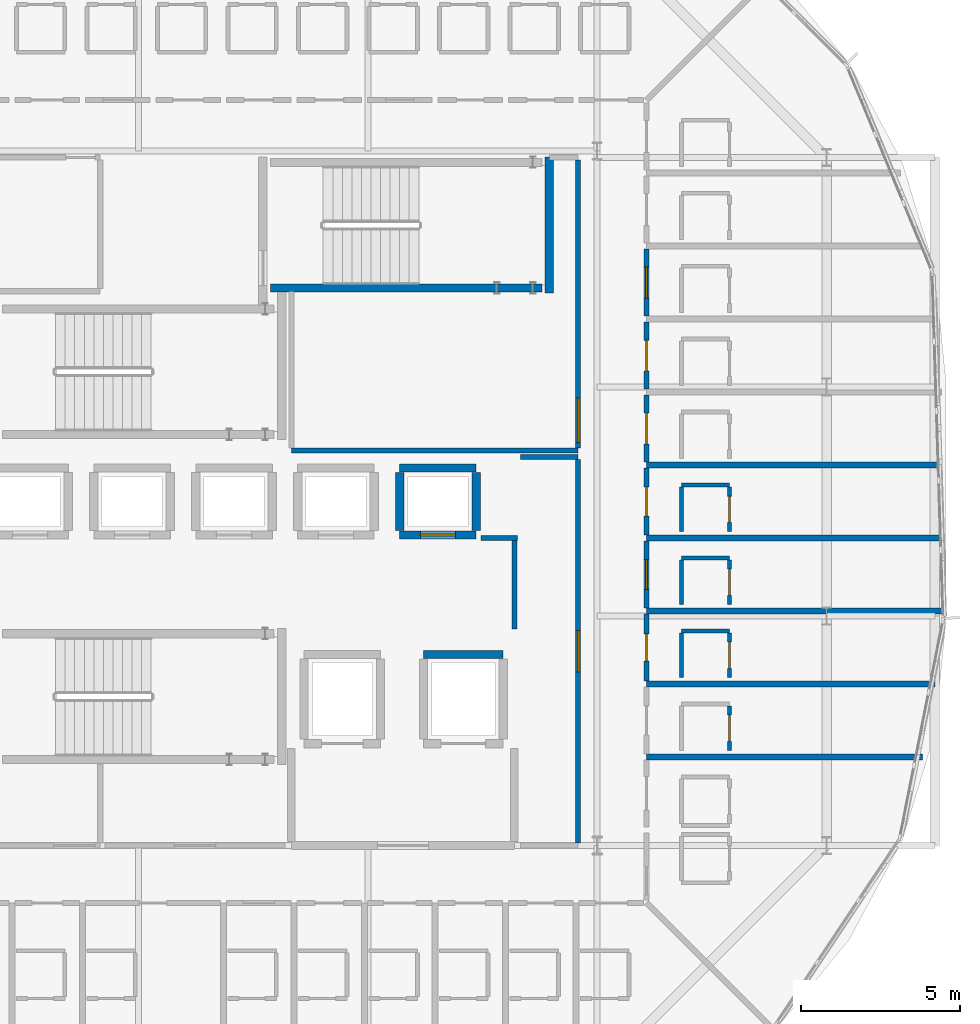
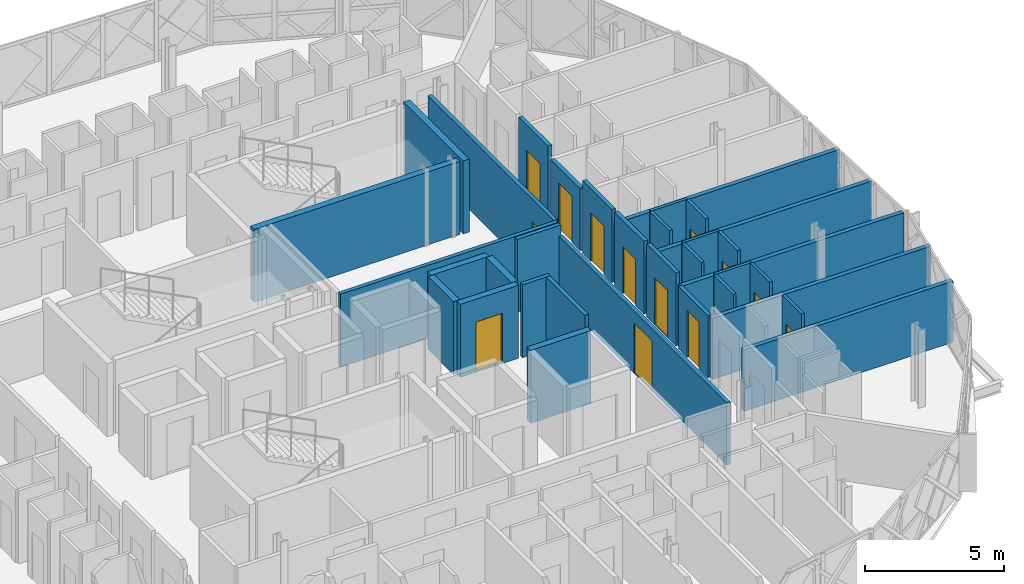
# One storey, part 42 of 50: 34 walls, 13 doors, 13 openings.
"""IFC4 building model written with IfcOpenShell, lengths in metres."""

from ifc_helpers import new_model, si_unit, direction, frame, frame_2d, origin, place, context, subcontext, project, spatial, rectangle, extrude, material, layer, layer_set, type_object, element, fill, save


model = new_model("IFC4")

# Units and contexts
model_context = context("Model", 3, precision=1e-05, world=origin(), true_north=direction((0.0, 1.0)))
body_context = subcontext(model_context, "Body", "Model", "MODEL_VIEW")
ifc_project = project(units=[si_unit("LENGTHUNIT", "METRE"), si_unit("AREAUNIT", "SQUARE_METRE"), si_unit("VOLUMEUNIT", "CUBIC_METRE"), si_unit("PLANEANGLEUNIT", "RADIAN"), si_unit("MASSUNIT", "GRAM", prefix="KILO")], contexts=[model_context])

# Site, building, storey
site_placement = place(None, origin())
site = spatial("IfcSite", under=ifc_project, at=site_placement, CompositionType="ELEMENT")
building_placement = place(site_placement, origin())
building = spatial("IfcBuilding", under=site, at=building_placement, Name="Zevrakil Square Congress Hotel", CompositionType="ELEMENT")
storey_placement = place(building_placement, frame((0.0, 0.0, 21.5)))
storey = spatial("IfcBuildingStorey", under=building, at=storey_placement, Name="L06", CompositionType="ELEMENT", Elevation=21.5)

# Wall
ifc_material_1 = material(Name="Gypsum Acoustic Stud Partition")
ifc_layer_1 = layer(ifc_material_1, 0.159912109375)
ifc_layer_set_1 = layer_set([ifc_layer_1], Name="Gypsum Acoustic Stud Partition")
wall_type_1 = type_object("IfcWallType", Name="WAL-CORR-160", PredefinedType="PARTITIONING", material=ifc_layer_set_1)
wall_1_placement = place(storey_placement, frame((146.39990234375, 29.199951171875, 0.0), z_axis=(0.0, 0.0, 1.0), x_axis=(1.0, 0.0, 0.0)))
element("IfcWall", 1, at=wall_1_placement, inside=storey, type_object=wall_type_1, Name="L06 interior partition PW-L06-0699", PredefinedType="PARTITIONING", context=body_context, shape_type="SweptSolid", body=[
    extrude(rectangle(XDim=9.0, YDim=0.159912109375, at=frame_2d((4.5, 0.0))), origin(), (0.0, 0.0, 1.0), 3.195068359375),
])

# Wall, opening, door
wall_2_placement = place(storey_placement, frame((155.39990234375, 29.284912109375, 0.0), z_axis=(0.0, 0.0, 1.0), x_axis=(0.0, 1.0, 0.0)))
wall_2 = element("IfcWall", 2, at=wall_2_placement, inside=storey, type_object=wall_type_1, Name="L06 interior partition PW-L06-0702", PredefinedType="PARTITIONING", context=body_context, shape_type="SweptSolid", body=[
    extrude(rectangle(XDim=9.030029296875, YDim=0.159912109375, at=frame_2d((4.51513671875, 0.0))), origin(), (0.0, 0.0, 1.0), 3.195068359375),
])
opening_1_placement = place(wall_2_placement, frame((0.159912109375, 0.0, 0.0)))
opening_1 = element("IfcOpeningElement", 3, at=opening_1_placement, cuts=wall_2, Name="Opening ID-09", PredefinedType="OPENING", context=body_context, shape_type="SweptSolid", body=[
    extrude(rectangle(XDim=1.39990234375, YDim=2.199951171875, at=frame_2d((0.699951171875, 1.10009765625))), frame((0.0, 0.08984375, 0.0), z_axis=(0.0, -1.0, 0.0), x_axis=(1.0, 0.0, 0.0)), (0.0, 0.0, 1.0), 0.179931640625),
])
ifc_material_2 = material(Name="Steel S355 Louvred Plant Fire Door", Category="steel")
door_type_1 = type_object("IfcDoorType", Name="DOR-PLANT-140", OperationType="NOTDEFINED", PredefinedType="DOOR", material=ifc_material_2)
door_1_placement = place(opening_1_placement, origin())
door_1 = element("IfcDoor", 4, at=door_1_placement, inside=storey, type_object=door_type_1, Name="L06 interior door 278", OperationType="SINGLE_SWING_RIGHT", OverallHeight=2.199951171875, OverallWidth=1.39990234375, PredefinedType="DOOR", context=body_context, shape_type="SweptSolid", body=[
    extrude(rectangle(XDim=1.39990234375, YDim=2.199951171875, at=frame_2d((0.699951171875, 1.10009765625))), frame((0.0, 0.02490234375, 0.0), z_axis=(0.0, -1.0, 0.0), x_axis=(1.0, 0.0, 0.0)), (0.0, 0.0, 1.0), 0.050048828125),
])
fill(opening_1, door_1)

# Wall
wall_3_placement = place(storey_placement, frame((153.60009765625, 29.0, 0.0), z_axis=(0.0, 0.0, 1.0), x_axis=(1.0, 0.0, 0.0)))
element("IfcWall", 5, at=wall_3_placement, inside=storey, type_object=wall_type_1, Name="L06 interior partition PW-L06-0704", PredefinedType="PARTITIONING", context=body_context, shape_type="SweptSolid", body=[
    extrude(rectangle(XDim=1.7998046875, YDim=0.159912109375, at=frame_2d((0.89990234375, 0.0))), origin(), (0.0, 0.0, 1.0), 3.195068359375),
])

# Wall, opening, door
wall_4_placement = place(storey_placement, frame((155.39990234375, 16.885009765625, 0.0), z_axis=(0.0, 0.0, 1.0), x_axis=(0.0, 1.0, 0.0)))
wall_4 = element("IfcWall", 6, at=wall_4_placement, inside=storey, type_object=wall_type_1, Name="L06 interior partition PW-L06-0705", PredefinedType="PARTITIONING", context=body_context, shape_type="SweptSolid", body=[
    extrude(rectangle(XDim=12.030029296875, YDim=0.159912109375, at=frame_2d((6.01513671875, 0.0))), origin(), (0.0, 0.0, 1.0), 2.72998046875),
])
opening_2_placement = place(wall_4_placement, frame((5.364990234375, 0.0, 0.0)))
opening_2 = element("IfcOpeningElement", 7, at=opening_2_placement, cuts=wall_4, Name="Opening ID-08", PredefinedType="OPENING", context=body_context, shape_type="SweptSolid", body=[
    extrude(rectangle(XDim=1.300048828125, YDim=2.199951171875, at=frame_2d((0.64990234375, 1.10009765625))), frame((0.0, 0.08984375, 0.0), z_axis=(0.0, -1.0, 0.0), x_axis=(1.0, 0.0, 0.0)), (0.0, 0.0, 1.0), 0.179931640625),
])
ifc_material_3 = material(Name="Service Corridor Leaf-and-Half Door")
door_type_2 = type_object("IfcDoorType", Name="DOR-BOH-130", OperationType="NOTDEFINED", PredefinedType="DOOR", material=ifc_material_3)
door_2_placement = place(opening_2_placement, origin())
door_2 = element("IfcDoor", 8, at=door_2_placement, inside=storey, type_object=door_type_2, Name="L06 interior door 279", OperationType="SINGLE_SWING_LEFT", OverallHeight=2.199951171875, OverallWidth=1.300048828125, PredefinedType="DOOR", context=body_context, shape_type="SweptSolid", body=[
    extrude(rectangle(XDim=1.300048828125, YDim=2.199951171875, at=frame_2d((0.64990234375, 1.10009765625))), frame((0.0, 0.02490234375, 0.0), z_axis=(0.0, -1.0, 0.0), x_axis=(1.0, 0.0, 0.0)), (0.0, 0.0, 1.0), 0.050048828125),
])
fill(opening_2, door_2)

# Walls
wall_5_placement = place(storey_placement, frame((152.35009765625, 26.449951171875, 0.0), z_axis=(0.0, 0.0, 1.0), x_axis=(1.0, 0.0, 0.0)))
element("IfcWall", 9, at=wall_5_placement, inside=storey, type_object=wall_type_1, Name="L06 interior partition PW-L06-0706", PredefinedType="PARTITIONING", context=body_context, shape_type="SweptSolid", body=[
    extrude(rectangle(XDim=1.14990234375, YDim=0.159912109375, at=frame_2d((0.574951171875, 0.0))), origin(), (0.0, 0.0, 1.0), 3.195068359375),
])
wall_6_placement = place(storey_placement, frame((153.39990234375, 23.60009765625, 0.0), z_axis=(0.0, 0.0, 1.0), x_axis=(0.0, 1.0, 0.0)))
element("IfcWall", 10, at=wall_6_placement, inside=storey, type_object=wall_type_1, Name="L06 interior partition PW-L06-0707", PredefinedType="PARTITIONING", context=body_context, shape_type="SweptSolid", body=[
    extrude(rectangle(XDim=2.7998046875, YDim=0.159912109375, at=frame_2d((1.39990234375, 0.0))), origin(), (0.0, 0.0, 1.0), 3.195068359375),
])

# Wall, opening, door
wall_7_placement = place(storey_placement, frame((157.550048828125, 21.9677734375, 0.0), z_axis=(0.0, 0.0, 1.0), x_axis=(0.0, 1.0, 0.0)))
wall_7 = element("IfcWall", 11, at=wall_7_placement, inside=storey, type_object=wall_type_1, Name="L06 interior partition PW-L06-0777", PredefinedType="PARTITIONING", context=body_context, shape_type="SweptSolid", body=[
    extrude(rectangle(XDim=2.100830078125, YDim=0.159912109375, at=frame_2d((1.05029296875, 0.0))), origin(), (0.0, 0.0, 1.0), 2.72998046875),
])
opening_3_placement = place(wall_7_placement, frame((0.622802734375, 0.0, 0.0)))
opening_3 = element("IfcOpeningElement", 12, at=opening_3_placement, cuts=wall_7, Name="Opening ID-G01", PredefinedType="OPENING", context=body_context, shape_type="SweptSolid", body=[
    extrude(rectangle(XDim=0.85498046875, YDim=2.050048828125, at=frame_2d((0.427490234375, 1.02490234375))), frame((0.0, 0.08984375, 0.0), z_axis=(0.0, -1.0, 0.0), x_axis=(1.0, 0.0, 0.0)), (0.0, 0.0, 1.0), 0.179931640625),
])
ifc_material_4 = material(Name="Acoustic Timber Fire Door", Category="wood")
door_type_3 = type_object("IfcDoorType", Name="DOR-INT-G01", OperationType="NOTDEFINED", PredefinedType="DOOR", material=ifc_material_4)
door_3_placement = place(opening_3_placement, origin())
door_3 = element("IfcDoor", 13, at=door_3_placement, inside=storey, type_object=door_type_3, Name="L06 interior door 307", OperationType="SINGLE_SWING_LEFT", OverallHeight=2.050048828125, OverallWidth=0.85498046875, PredefinedType="DOOR", context=body_context, shape_type="SweptSolid", body=[
    extrude(rectangle(XDim=0.85498046875, YDim=2.050048828125, at=frame_2d((0.427490234375, 1.02490234375))), frame((0.0, 0.02490234375, 0.0), z_axis=(0.0, -1.0, 0.0), x_axis=(1.0, 0.0, 0.0)), (0.0, 0.0, 1.0), 0.050048828125),
])
fill(opening_3, door_3)

wall_8_placement = place(storey_placement, frame((157.550048828125, 24.258544921875, 0.0), z_axis=(0.0, 0.0, 1.0), x_axis=(0.0, 1.0, 0.0)))
wall_8 = element("IfcWall", 14, at=wall_8_placement, inside=storey, type_object=wall_type_1, Name="L06 interior partition PW-L06-0782", PredefinedType="PARTITIONING", context=body_context, shape_type="SweptSolid", body=[
    extrude(rectangle(XDim=2.10107421875, YDim=0.159912109375, at=frame_2d((1.050537109375, 0.0))), origin(), (0.0, 0.0, 1.0), 3.195068359375),
])
opening_4_placement = place(wall_8_placement, frame((0.58251953125, 0.0, 0.0)))
opening_4 = element("IfcOpeningElement", 15, at=opening_4_placement, cuts=wall_8, Name="Opening ID-H08", PredefinedType="OPENING", context=body_context, shape_type="SweptSolid", body=[
    extrude(rectangle(XDim=0.93603515625, YDim=2.070068359375, at=frame_2d((0.468017578125, 1.03515625))), frame((0.0, 0.08984375, 0.0), z_axis=(0.0, -1.0, 0.0), x_axis=(1.0, 0.0, 0.0)), (0.0, 0.0, 1.0), 0.179931640625),
])
ifc_material_5 = material(Name="Acoustic Timber Fire Door", Category="wood")
door_type_4 = type_object("IfcDoorType", Name="DOR-INT-H08", OperationType="NOTDEFINED", PredefinedType="DOOR", material=ifc_material_5)
door_4_placement = place(opening_4_placement, origin())
door_4 = element("IfcDoor", 16, at=door_4_placement, inside=storey, type_object=door_type_4, Name="L06 interior door 309", OperationType="SINGLE_SWING_LEFT", OverallHeight=2.070068359375, OverallWidth=0.93603515625, PredefinedType="DOOR", context=body_context, shape_type="SweptSolid", body=[
    extrude(rectangle(XDim=0.93603515625, YDim=2.070068359375, at=frame_2d((0.468017578125, 1.03515625))), frame((0.0, 0.02490234375, 0.0), z_axis=(0.0, -1.0, 0.0), x_axis=(1.0, 0.0, 0.0)), (0.0, 0.0, 1.0), 0.050048828125),
])
fill(opening_4, door_4)

wall_9_placement = place(storey_placement, frame((157.550048828125, 26.549560546875, 0.0), z_axis=(0.0, 0.0, 1.0), x_axis=(0.0, 1.0, 0.0)))
wall_9 = element("IfcWall", 17, at=wall_9_placement, inside=storey, type_object=wall_type_1, Name="L06 interior partition PW-L06-0787", PredefinedType="PARTITIONING", context=body_context, shape_type="SweptSolid", body=[
    extrude(rectangle(XDim=2.100830078125, YDim=0.159912109375, at=frame_2d((1.05029296875, 0.0))), origin(), (0.0, 0.0, 1.0), 3.195068359375),
])
opening_5_placement = place(wall_9_placement, frame((0.597900390625, 0.0, 0.0)))
opening_5 = element("IfcOpeningElement", 18, at=opening_5_placement, cuts=wall_9, Name="Opening ID-G03", PredefinedType="OPENING", context=body_context, shape_type="SweptSolid", body=[
    extrude(rectangle(XDim=0.905029296875, YDim=2.050048828125, at=frame_2d((0.45263671875, 1.02490234375))), frame((0.0, 0.08984375, 0.0), z_axis=(0.0, -1.0, 0.0), x_axis=(1.0, 0.0, 0.0)), (0.0, 0.0, 1.0), 0.179931640625),
])
ifc_material_6 = material(Name="Acoustic Timber Fire Door", Category="wood")
door_type_5 = type_object("IfcDoorType", Name="DOR-INT-G03", OperationType="NOTDEFINED", PredefinedType="DOOR", material=ifc_material_6)
door_5_placement = place(opening_5_placement, origin())
door_5 = element("IfcDoor", 19, at=door_5_placement, inside=storey, type_object=door_type_5, Name="L06 interior door 311", OperationType="SINGLE_SWING_LEFT", OverallHeight=2.050048828125, OverallWidth=0.905029296875, PredefinedType="DOOR", context=body_context, shape_type="SweptSolid", body=[
    extrude(rectangle(XDim=0.905029296875, YDim=2.050048828125, at=frame_2d((0.45263671875, 1.02490234375))), frame((0.0, 0.02490234375, 0.0), z_axis=(0.0, -1.0, 0.0), x_axis=(1.0, 0.0, 0.0)), (0.0, 0.0, 1.0), 0.050048828125),
])
fill(opening_5, door_5)

wall_10_placement = place(storey_placement, frame((157.550048828125, 28.840576171875, 0.0), z_axis=(0.0, 0.0, 1.0), x_axis=(0.0, 1.0, 0.0)))
wall_10 = element("IfcWall", 20, at=wall_10_placement, inside=storey, type_object=wall_type_1, Name="L06 interior partition PW-L06-0792", PredefinedType="PARTITIONING", context=body_context, shape_type="SweptSolid", body=[
    extrude(rectangle(XDim=2.100830078125, YDim=0.159912109375, at=frame_2d((1.05029296875, 0.0))), origin(), (0.0, 0.0, 1.0), 3.195068359375),
])
opening_6_placement = place(wall_10_placement, frame((0.570556640625, 0.0, 0.0)))
opening_6 = element("IfcOpeningElement", 21, at=opening_6_placement, cuts=wall_10, Name="Opening ID-H10", PredefinedType="OPENING", context=body_context, shape_type="SweptSolid", body=[
    extrude(rectangle(XDim=0.9599609375, YDim=2.1298828125, at=frame_2d((0.47998046875, 1.06494140625))), frame((0.0, 0.08984375, 0.0), z_axis=(0.0, -1.0, 0.0), x_axis=(1.0, 0.0, 0.0)), (0.0, 0.0, 1.0), 0.179931640625),
])
ifc_material_7 = material(Name="Acoustic Timber Fire Door", Category="wood")
door_type_6 = type_object("IfcDoorType", Name="DOR-INT-H10", OperationType="NOTDEFINED", PredefinedType="DOOR", material=ifc_material_7)
door_6_placement = place(opening_6_placement, origin())
door_6 = element("IfcDoor", 22, at=door_6_placement, inside=storey, type_object=door_type_6, Name="L06 interior door 313", OperationType="SINGLE_SWING_LEFT", OverallHeight=2.1298828125, OverallWidth=0.9599609375, PredefinedType="DOOR", context=body_context, shape_type="SweptSolid", body=[
    extrude(rectangle(XDim=0.9599609375, YDim=2.1298828125, at=frame_2d((0.47998046875, 1.06494140625))), frame((0.0, 0.02490234375, 0.0), z_axis=(0.0, -1.0, 0.0), x_axis=(1.0, 0.0, 0.0)), (0.0, 0.0, 1.0), 0.050048828125),
])
fill(opening_6, door_6)

wall_11_placement = place(storey_placement, frame((157.550048828125, 31.13134765625, 0.0), z_axis=(0.0, 0.0, 1.0), x_axis=(0.0, 1.0, 0.0)))
wall_11 = element("IfcWall", 23, at=wall_11_placement, inside=storey, type_object=wall_type_1, Name="L06 interior partition PW-L06-0797", PredefinedType="PARTITIONING", context=body_context, shape_type="SweptSolid", body=[
    extrude(rectangle(XDim=2.10107421875, YDim=0.159912109375, at=frame_2d((1.050537109375, 0.0))), origin(), (0.0, 0.0, 1.0), 2.72998046875),
])
opening_7_placement = place(wall_11_placement, frame((0.572998046875, 0.0, 0.0)))
opening_7 = element("IfcOpeningElement", 24, at=opening_7_placement, cuts=wall_11, Name="Opening ID-G05", PredefinedType="OPENING", context=body_context, shape_type="SweptSolid", body=[
    extrude(rectangle(XDim=0.955078125, YDim=2.050048828125, at=frame_2d((0.4775390625, 1.02490234375))), frame((0.0, 0.08984375, 0.0), z_axis=(0.0, -1.0, 0.0), x_axis=(1.0, 0.0, 0.0)), (0.0, 0.0, 1.0), 0.179931640625),
])
ifc_material_8 = material(Name="Acoustic Timber Fire Door", Category="wood")
door_type_7 = type_object("IfcDoorType", Name="DOR-INT-G05", OperationType="NOTDEFINED", PredefinedType="DOOR", material=ifc_material_8)
door_7_placement = place(opening_7_placement, origin())
door_7 = element("IfcDoor", 25, at=door_7_placement, inside=storey, type_object=door_type_7, Name="L06 interior door 315", OperationType="SINGLE_SWING_LEFT", OverallHeight=2.050048828125, OverallWidth=0.955078125, PredefinedType="DOOR", context=body_context, shape_type="SweptSolid", body=[
    extrude(rectangle(XDim=0.955078125, YDim=2.050048828125, at=frame_2d((0.4775390625, 1.02490234375))), frame((0.0, 0.02490234375, 0.0), z_axis=(0.0, -1.0, 0.0), x_axis=(1.0, 0.0, 0.0)), (0.0, 0.0, 1.0), 0.050048828125),
])
fill(opening_7, door_7)

wall_12_placement = place(storey_placement, frame((157.550048828125, 33.42236328125, 0.0), z_axis=(0.0, 0.0, 1.0), x_axis=(0.0, 1.0, 0.0)))
wall_12 = element("IfcWall", 26, at=wall_12_placement, inside=storey, type_object=wall_type_1, Name="L06 interior partition PW-L06-0802", PredefinedType="PARTITIONING", context=body_context, shape_type="SweptSolid", body=[
    extrude(rectangle(XDim=2.100830078125, YDim=0.159912109375, at=frame_2d((1.05029296875, 0.0))), origin(), (0.0, 0.0, 1.0), 3.195068359375),
])
opening_8_placement = place(wall_12_placement, frame((0.55859375, 0.0, 0.0)))
opening_8 = element("IfcOpeningElement", 27, at=opening_8_placement, cuts=wall_12, Name="Opening ID-H12", PredefinedType="OPENING", context=body_context, shape_type="SweptSolid", body=[
    extrude(rectangle(XDim=0.98388671875, YDim=2.070068359375, at=frame_2d((0.491943359375, 1.03515625))), frame((0.0, 0.08984375, 0.0), z_axis=(0.0, -1.0, 0.0), x_axis=(1.0, 0.0, 0.0)), (0.0, 0.0, 1.0), 0.179931640625),
])
ifc_material_9 = material(Name="Acoustic Timber Fire Door", Category="wood")
door_type_8 = type_object("IfcDoorType", Name="DOR-INT-H12", OperationType="NOTDEFINED", PredefinedType="DOOR", material=ifc_material_9)
door_8_placement = place(opening_8_placement, origin())
door_8 = element("IfcDoor", 28, at=door_8_placement, inside=storey, type_object=door_type_8, Name="L06 interior door 317", OperationType="SINGLE_SWING_LEFT", OverallHeight=2.070068359375, OverallWidth=0.98388671875, PredefinedType="DOOR", context=body_context, shape_type="SweptSolid", body=[
    extrude(rectangle(XDim=0.98388671875, YDim=2.070068359375, at=frame_2d((0.491943359375, 1.03515625))), frame((0.0, 0.02490234375, 0.0), z_axis=(0.0, -1.0, 0.0), x_axis=(1.0, 0.0, 0.0)), (0.0, 0.0, 1.0), 0.050048828125),
])
fill(opening_8, door_8)

ifc_material_10 = material(Name="Moisture-Resistant Gypsum Partition")
ifc_layer_2 = layer(ifc_material_10, 0.1201171875)
ifc_layer_set_2 = layer_set([ifc_layer_2], Name="Moisture-Resistant Gypsum Partition")
wall_type_2 = type_object("IfcWallType", Name="WAL-ENS-120", PredefinedType="PARTITIONING", material=ifc_layer_set_2)
wall_13_placement = place(storey_placement, frame((160.14990234375, 19.786865234375, 0.0), z_axis=(0.0, 0.0, 1.0), x_axis=(0.0, 1.0, 0.0)))
wall_13 = element("IfcWall", 29, at=wall_13_placement, inside=storey, type_object=wall_type_2, Name="L06 interior partition PW-L06-0775", PredefinedType="PARTITIONING", context=body_context, shape_type="SweptSolid", body=[
    extrude(rectangle(XDim=1.389892578125, YDim=0.1201171875, at=frame_2d((0.69482421875, 0.0))), origin(), (0.0, 0.0, 1.0), 3.195068359375),
])
opening_9_placement = place(wall_13_placement, frame((0.284912109375, 0.0, 0.0)))
opening_9 = element("IfcOpeningElement", 30, at=opening_9_placement, cuts=wall_13, Name="Opening ID-11", PredefinedType="OPENING", context=body_context, shape_type="SweptSolid", body=[
    extrude(rectangle(XDim=0.820068359375, YDim=2.080078125, at=frame_2d((0.41015625, 1.0400390625))), frame((0.0, 0.070068359375, 0.0), z_axis=(0.0, -1.0, 0.0), x_axis=(1.0, 0.0, 0.0)), (0.0, 0.0, 1.0), 0.14013671875),
])
ifc_material_11 = material(Name="Acoustic Timber Door", Category="wood")
door_type_9 = type_object("IfcDoorType", Name="DOR-INT-V01", OperationType="NOTDEFINED", PredefinedType="DOOR", material=ifc_material_11)
door_9_placement = place(opening_9_placement, origin())
door_9 = element("IfcDoor", 31, at=door_9_placement, inside=storey, type_object=door_type_9, Name="L06 interior door 306", OperationType="SINGLE_SWING_RIGHT", OverallHeight=2.080078125, OverallWidth=0.820068359375, PredefinedType="DOOR", context=body_context, shape_type="SweptSolid", body=[
    extrude(rectangle(XDim=0.820068359375, YDim=2.080078125, at=frame_2d((0.41015625, 1.0400390625))), frame((0.0, 0.02490234375, 0.0), z_axis=(0.0, -1.0, 0.0), x_axis=(1.0, 0.0, 0.0)), (0.0, 0.0, 1.0), 0.050048828125),
])
fill(opening_9, door_9)

# Walls
wall_14_placement = place(storey_placement, frame((158.64990234375, 23.53271484375, 0.0), z_axis=(0.0, 0.0, 1.0), x_axis=(1.0, 0.0, 0.0)))
element("IfcWall", 32, at=wall_14_placement, inside=storey, type_object=wall_type_2, Name="L06 interior partition PW-L06-0778", PredefinedType="PARTITIONING", context=body_context, shape_type="SweptSolid", body=[
    extrude(rectangle(XDim=1.5, YDim=0.1201171875, at=frame_2d((0.75, 0.0))), origin(), (0.0, 0.0, 1.0), 3.195068359375),
])
wall_15_placement = place(storey_placement, frame((158.64990234375, 22.07763671875, 0.0), z_axis=(0.0, 0.0, 1.0), x_axis=(0.0, 1.0, 0.0)))
element("IfcWall", 33, at=wall_15_placement, inside=storey, type_object=wall_type_2, Name="L06 interior partition PW-L06-0779", PredefinedType="PARTITIONING", context=body_context, shape_type="SweptSolid", body=[
    extrude(rectangle(XDim=1.39013671875, YDim=0.1201171875, at=frame_2d((0.695068359375, 0.0))), origin(), (0.0, 0.0, 1.0), 3.195068359375),
])

# Wall, opening, door
wall_16_placement = place(storey_placement, frame((160.14990234375, 22.07763671875, 0.0), z_axis=(0.0, 0.0, 1.0), x_axis=(0.0, 1.0, 0.0)))
wall_16 = element("IfcWall", 34, at=wall_16_placement, inside=storey, type_object=wall_type_2, Name="L06 interior partition PW-L06-0780", PredefinedType="PARTITIONING", context=body_context, shape_type="SweptSolid", body=[
    extrude(rectangle(XDim=1.39013671875, YDim=0.1201171875, at=frame_2d((0.695068359375, 0.0))), origin(), (0.0, 0.0, 1.0), 3.195068359375),
])
opening_10_placement = place(wall_16_placement, frame((0.284912109375, 0.0, 0.0)))
opening_10 = element("IfcOpeningElement", 35, at=opening_10_placement, cuts=wall_16, Name="Opening ID-11", PredefinedType="OPENING", context=body_context, shape_type="SweptSolid", body=[
    extrude(rectangle(XDim=0.820068359375, YDim=2.080078125, at=frame_2d((0.41015625, 1.0400390625))), frame((0.0, 0.070068359375, 0.0), z_axis=(0.0, -1.0, 0.0), x_axis=(1.0, 0.0, 0.0)), (0.0, 0.0, 1.0), 0.14013671875),
])
door_10_placement = place(opening_10_placement, origin())
door_10 = element("IfcDoor", 36, at=door_10_placement, inside=storey, type_object=door_type_9, Name="L06 interior door 308", OperationType="SINGLE_SWING_RIGHT", OverallHeight=2.080078125, OverallWidth=0.820068359375, PredefinedType="DOOR", context=body_context, shape_type="SweptSolid", body=[
    extrude(rectangle(XDim=0.820068359375, YDim=2.080078125, at=frame_2d((0.41015625, 1.0400390625))), frame((0.0, 0.02490234375, 0.0), z_axis=(0.0, -1.0, 0.0), x_axis=(1.0, 0.0, 0.0)), (0.0, 0.0, 1.0), 0.050048828125),
])
fill(opening_10, door_10)

# Walls
wall_17_placement = place(storey_placement, frame((158.64990234375, 25.823486328125, 0.0), z_axis=(0.0, 0.0, 1.0), x_axis=(1.0, 0.0, 0.0)))
element("IfcWall", 37, at=wall_17_placement, inside=storey, type_object=wall_type_2, Name="L06 interior partition PW-L06-0783", PredefinedType="PARTITIONING", context=body_context, shape_type="SweptSolid", body=[
    extrude(rectangle(XDim=1.5, YDim=0.1201171875, at=frame_2d((0.75, 0.0))), origin(), (0.0, 0.0, 1.0), 3.195068359375),
])
wall_18_placement = place(storey_placement, frame((158.64990234375, 24.36865234375, 0.0), z_axis=(0.0, 0.0, 1.0), x_axis=(0.0, 1.0, 0.0)))
element("IfcWall", 38, at=wall_18_placement, inside=storey, type_object=wall_type_2, Name="L06 interior partition PW-L06-0784", PredefinedType="PARTITIONING", context=body_context, shape_type="SweptSolid", body=[
    extrude(rectangle(XDim=1.389892578125, YDim=0.1201171875, at=frame_2d((0.69482421875, 0.0))), origin(), (0.0, 0.0, 1.0), 3.195068359375),
])

# Wall, opening, door
wall_19_placement = place(storey_placement, frame((160.14990234375, 24.36865234375, 0.0), z_axis=(0.0, 0.0, 1.0), x_axis=(0.0, 1.0, 0.0)))
wall_19 = element("IfcWall", 39, at=wall_19_placement, inside=storey, type_object=wall_type_2, Name="L06 interior partition PW-L06-0785", PredefinedType="PARTITIONING", context=body_context, shape_type="SweptSolid", body=[
    extrude(rectangle(XDim=1.389892578125, YDim=0.1201171875, at=frame_2d((0.69482421875, 0.0))), origin(), (0.0, 0.0, 1.0), 3.195068359375),
])
opening_11_placement = place(wall_19_placement, frame((0.284912109375, 0.0, 0.0)))
opening_11 = element("IfcOpeningElement", 40, at=opening_11_placement, cuts=wall_19, Name="Opening ID-11", PredefinedType="OPENING", context=body_context, shape_type="SweptSolid", body=[
    extrude(rectangle(XDim=0.820068359375, YDim=2.080078125, at=frame_2d((0.41015625, 1.0400390625))), frame((0.0, 0.070068359375, 0.0), z_axis=(0.0, -1.0, 0.0), x_axis=(1.0, 0.0, 0.0)), (0.0, 0.0, 1.0), 0.14013671875),
])
door_11_placement = place(opening_11_placement, origin())
door_11 = element("IfcDoor", 41, at=door_11_placement, inside=storey, type_object=door_type_9, Name="L06 interior door 310", OperationType="SINGLE_SWING_RIGHT", OverallHeight=2.080078125, OverallWidth=0.820068359375, PredefinedType="DOOR", context=body_context, shape_type="SweptSolid", body=[
    extrude(rectangle(XDim=0.820068359375, YDim=2.080078125, at=frame_2d((0.41015625, 1.0400390625))), frame((0.0, 0.02490234375, 0.0), z_axis=(0.0, -1.0, 0.0), x_axis=(1.0, 0.0, 0.0)), (0.0, 0.0, 1.0), 0.050048828125),
])
fill(opening_11, door_11)

# Walls
wall_20_placement = place(storey_placement, frame((158.64990234375, 28.114501953125, 0.0), z_axis=(0.0, 0.0, 1.0), x_axis=(1.0, 0.0, 0.0)))
element("IfcWall", 42, at=wall_20_placement, inside=storey, type_object=wall_type_2, Name="L06 interior partition PW-L06-0788", PredefinedType="PARTITIONING", context=body_context, shape_type="SweptSolid", body=[
    extrude(rectangle(XDim=1.5, YDim=0.1201171875, at=frame_2d((0.75, 0.0))), origin(), (0.0, 0.0, 1.0), 3.195068359375),
])
wall_21_placement = place(storey_placement, frame((158.64990234375, 26.659423828125, 0.0), z_axis=(0.0, 0.0, 1.0), x_axis=(0.0, 1.0, 0.0)))
element("IfcWall", 43, at=wall_21_placement, inside=storey, type_object=wall_type_2, Name="L06 interior partition PW-L06-0789", PredefinedType="PARTITIONING", context=body_context, shape_type="SweptSolid", body=[
    extrude(rectangle(XDim=1.39013671875, YDim=0.1201171875, at=frame_2d((0.695068359375, 0.0))), origin(), (0.0, 0.0, 1.0), 3.195068359375),
])

# Wall, opening, door
wall_22_placement = place(storey_placement, frame((160.14990234375, 26.659423828125, 0.0), z_axis=(0.0, 0.0, 1.0), x_axis=(0.0, 1.0, 0.0)))
wall_22 = element("IfcWall", 44, at=wall_22_placement, inside=storey, type_object=wall_type_2, Name="L06 interior partition PW-L06-0790", PredefinedType="PARTITIONING", context=body_context, shape_type="SweptSolid", body=[
    extrude(rectangle(XDim=1.39013671875, YDim=0.1201171875, at=frame_2d((0.695068359375, 0.0))), origin(), (0.0, 0.0, 1.0), 3.195068359375),
])
opening_12_placement = place(wall_22_placement, frame((0.284912109375, 0.0, 0.0)))
opening_12 = element("IfcOpeningElement", 45, at=opening_12_placement, cuts=wall_22, Name="Opening ID-11", PredefinedType="OPENING", context=body_context, shape_type="SweptSolid", body=[
    extrude(rectangle(XDim=0.820068359375, YDim=2.080078125, at=frame_2d((0.41015625, 1.0400390625))), frame((0.0, 0.070068359375, 0.0), z_axis=(0.0, -1.0, 0.0), x_axis=(1.0, 0.0, 0.0)), (0.0, 0.0, 1.0), 0.14013671875),
])
door_12_placement = place(opening_12_placement, origin())
door_12 = element("IfcDoor", 46, at=door_12_placement, inside=storey, type_object=door_type_9, Name="L06 interior door 312", OperationType="SINGLE_SWING_RIGHT", OverallHeight=2.080078125, OverallWidth=0.820068359375, PredefinedType="DOOR", context=body_context, shape_type="SweptSolid", body=[
    extrude(rectangle(XDim=0.820068359375, YDim=2.080078125, at=frame_2d((0.41015625, 1.0400390625))), frame((0.0, 0.02490234375, 0.0), z_axis=(0.0, -1.0, 0.0), x_axis=(1.0, 0.0, 0.0)), (0.0, 0.0, 1.0), 0.050048828125),
])
fill(opening_12, door_12)

# Walls
ifc_material_12 = material(Name="Gypsum Twin-Stud Party Partition")
ifc_layer_3 = layer(ifc_material_12, 0.179931640625)
ifc_layer_set_3 = layer_set([ifc_layer_3], Name="Gypsum Twin-Stud Party Partition")
wall_type_3 = type_object("IfcWallType", Name="WAL-PARTY-180", PredefinedType="PARTITIONING", material=ifc_layer_set_3)
wall_23_placement = place(storey_placement, frame((157.550048828125, 19.581787109375, 0.0), z_axis=(0.0, 0.0, 1.0), x_axis=(1.0, 0.0, 0.0)))
element("IfcWall", 47, at=wall_23_placement, inside=storey, type_object=wall_type_3, Name="L06 interior partition PW-L06-0771", PredefinedType="PARTITIONING", context=body_context, shape_type="SweptSolid", body=[
    extrude(rectangle(XDim=8.66064453125, YDim=0.179931640625, at=frame_2d((4.330322265625, 0.0))), origin(), (0.0, 0.0, 1.0), 2.679931640625),
])
wall_24_placement = place(storey_placement, frame((157.550048828125, 21.872802734375, 0.0), z_axis=(0.0, 0.0, 1.0), x_axis=(1.0, 0.0, 0.0)))
element("IfcWall", 48, at=wall_24_placement, inside=storey, type_object=wall_type_3, Name="L06 interior partition PW-L06-0776", PredefinedType="PARTITIONING", context=body_context, shape_type="SweptSolid", body=[
    extrude(rectangle(XDim=9.058349609375, YDim=0.179931640625, at=frame_2d((4.529296875, 0.0))), origin(), (0.0, 0.0, 1.0), 2.679931640625),
])
for number, where, z_axis, x_axis, name in (
    (49, (157.550048828125, 24.16357421875, 0.0), (0.0, 0.0, 1.0), (1.0, 0.0, 0.0), "L06 interior partition PW-L06-0781"),
    (50, (157.550048828125, 26.45458984375, 0.0), (0.0, 0.0, 1.0), (1.0, 0.0, 0.0), "L06 interior partition PW-L06-0786"),
    (51, (157.550048828125, 28.74560546875, 0.0), (0.0, 0.0, 1.0), (1.0, 0.0, 0.0), "L06 interior partition PW-L06-0791"),
):
    element("IfcWall", number, at=place(storey_placement, frame(where, z_axis=z_axis, x_axis=x_axis)), inside=storey, type_object=wall_type_3, Name=name, PredefinedType="PARTITIONING", context=body_context, shape_type="SweptSolid", body=[
        extrude(rectangle(XDim=9.260009765625, YDim=0.179931640625, at=frame_2d((4.6298828125, 0.0))), origin(), (0.0, 0.0, 1.0), 2.679931640625),
    ])
ifc_material_13 = material(Name="Concrete C40/50", Category="concrete")
ifc_layer_4 = layer(ifc_material_13, 0.260009765625)
ifc_layer_set_4 = layer_set([ifc_layer_4], Name="Concrete C40/50")
wall_type_4 = type_object("IfcWallType", Name="WAL-SHAFT-260", PredefinedType="SHEAR", material=ifc_layer_set_4)
wall_25_placement = place(storey_placement, frame((154.4951171875, 34.139892578125, 0.0), z_axis=(0.0, 0.0, 1.0), x_axis=(0.0, 1.0, 0.0)))
element("IfcWall", 52, at=wall_25_placement, inside=storey, type_object=wall_type_4, Name="L06 ST03 stair shaft E wall", PredefinedType="SHEAR", context=body_context, shape_type="SweptSolid", body=[
    extrude(rectangle(XDim=4.27001953125, YDim=0.260009765625, at=frame_2d((2.135009765625, 0.0))), origin(), (0.0, 0.0, 1.0), 3.195068359375),
])
wall_26_placement = place(storey_placement, frame((145.739990234375, 34.304931640625, 0.0), z_axis=(0.0, 0.0, 1.0), x_axis=(1.0, 0.0, 0.0)))
element("IfcWall", 53, at=wall_26_placement, inside=storey, type_object=wall_type_4, Name="L06 ST03 stair shaft S wall", PredefinedType="SHEAR", context=body_context, shape_type="SweptSolid", body=[
    extrude(rectangle(XDim=8.52001953125, YDim=0.260009765625, at=frame_2d((4.260009765625, 0.0))), origin(), (0.0, 0.0, 1.0), 3.195068359375),
])

# Wall, opening, door
wall_27_placement = place(storey_placement, frame((149.800048828125, 26.550048828125, 0.0), z_axis=(0.0, 0.0, 1.0), x_axis=(1.0, 0.0, 0.0)))
wall_27 = element("IfcWall", 54, at=wall_27_placement, inside=storey, type_object=wall_type_4, Name="L06 HL5 lift shaft wall", PredefinedType="SHEAR", context=body_context, shape_type="SweptSolid", body=[
    extrude(rectangle(XDim=2.39990234375, YDim=0.260009765625, at=frame_2d((1.199951171875, 0.0))), origin(), (0.0, 0.0, 1.0), 3.195068359375),
])
opening_13_placement = place(wall_27_placement, frame((0.64990234375, 0.0, 0.0)))
opening_13 = element("IfcOpeningElement", 55, at=opening_13_placement, cuts=wall_27, Name="Opening LD-HL5", PredefinedType="OPENING", context=body_context, shape_type="SweptSolid", body=[
    extrude(rectangle(XDim=1.10009765625, YDim=2.199951171875, at=frame_2d((0.550048828125, 1.10009765625))), frame((0.0, 0.14013671875, 0.0), z_axis=(0.0, -1.0, 0.0), x_axis=(1.0, 0.0, 0.0)), (0.0, 0.0, 1.0), 0.280029296875),
])
ifc_material_14 = material(Name="Stainless Steel Sliding Lift Landing Door", Category="steel")
door_type_10 = type_object("IfcDoorType", Name="DOR-LIFT-LD110", OperationType="NOTDEFINED", PredefinedType="DOOR", material=ifc_material_14)
door_13_placement = place(opening_13_placement, origin())
door_13 = element("IfcDoor", 56, at=door_13_placement, inside=storey, type_object=door_type_10, Name="L06 HL5 sliding lift landing door", OperationType="SLIDING_TO_LEFT", OverallHeight=2.199951171875, OverallWidth=1.10009765625, PredefinedType="DOOR", context=body_context, shape_type="SweptSolid", body=[
    extrude(rectangle(XDim=1.10009765625, YDim=2.199951171875, at=frame_2d((0.550048828125, 1.10009765625))), frame((0.0, 0.02490234375, 0.0), z_axis=(0.0, -1.0, 0.0), x_axis=(1.0, 0.0, 0.0)), (0.0, 0.0, 1.0), 0.050048828125),
])
fill(opening_13, door_13)

# Walls
wall_28_placement = place(storey_placement, frame((149.800048828125, 28.64990234375, 0.0), z_axis=(0.0, 0.0, 1.0), x_axis=(1.0, 0.0, 0.0)))
element("IfcWall", 57, at=wall_28_placement, inside=storey, type_object=wall_type_4, Name="L06 HL5 lift shaft wall", PredefinedType="SHEAR", context=body_context, shape_type="SweptSolid", body=[
    extrude(rectangle(XDim=2.39990234375, YDim=0.260009765625, at=frame_2d((1.199951171875, 0.0))), origin(), (0.0, 0.0, 1.0), 3.195068359375),
])
for number, where, z_axis, x_axis, name in (
    (58, (149.800048828125, 26.68994140625, 0.0), (0.0, 0.0, 1.0), (0.0, 1.0, 0.0), "L06 HL5 lift shaft wall"),
    (59, (152.199951171875, 26.68994140625, 0.0), (0.0, 0.0, 1.0), (0.0, 1.0, 0.0), "L06 HL5 lift shaft wall"),
):
    element("IfcWall", number, at=place(storey_placement, frame(where, z_axis=z_axis, x_axis=x_axis)), inside=storey, type_object=wall_type_4, Name=name, PredefinedType="SHEAR", context=body_context, shape_type="SweptSolid", body=[
        extrude(rectangle(XDim=1.820068359375, YDim=0.260009765625, at=frame_2d((0.91015625, 0.0))), origin(), (0.0, 0.0, 1.0), 3.195068359375),
    ])
wall_29_placement = place(storey_placement, frame((150.550048828125, 22.800048828125, 0.0), z_axis=(0.0, 0.0, 1.0), x_axis=(1.0, 0.0, 0.0)))
element("IfcWall", 60, at=wall_29_placement, inside=storey, type_object=wall_type_4, Name="L06 SL1 lift shaft wall", PredefinedType="SHEAR", context=body_context, shape_type="SweptSolid", body=[
    extrude(rectangle(XDim=2.5, YDim=0.260009765625, at=frame_2d((1.25, 0.0))), origin(), (0.0, 0.0, 1.0), 3.195068359375),
])

save(model, "model.ifc")
